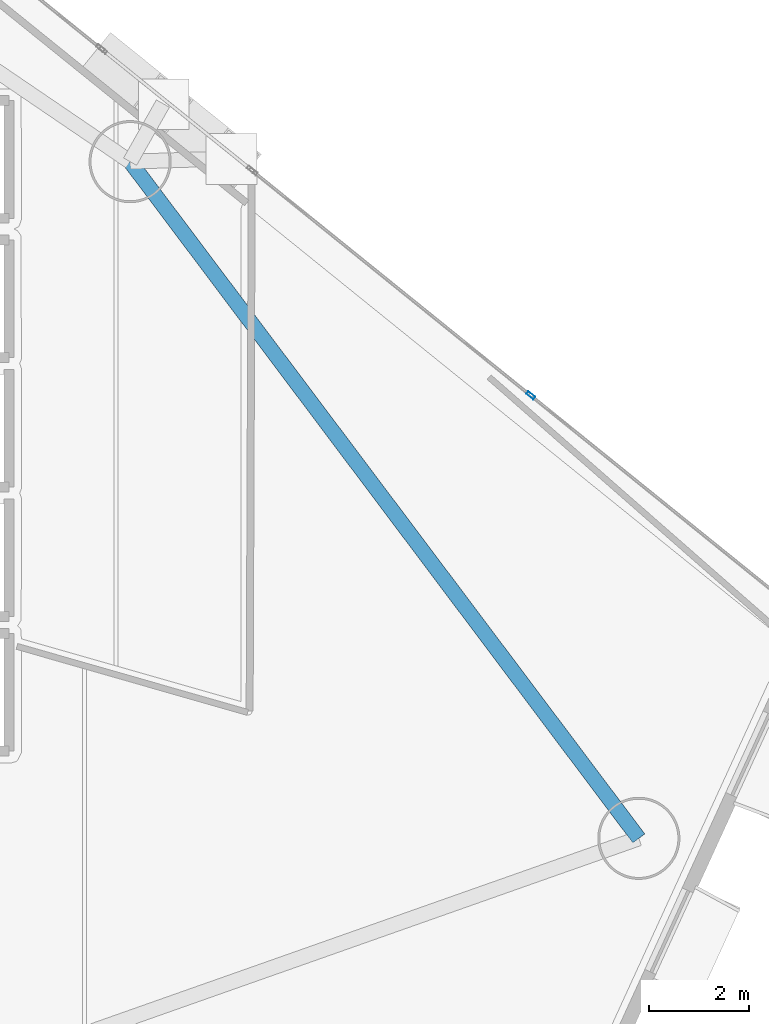
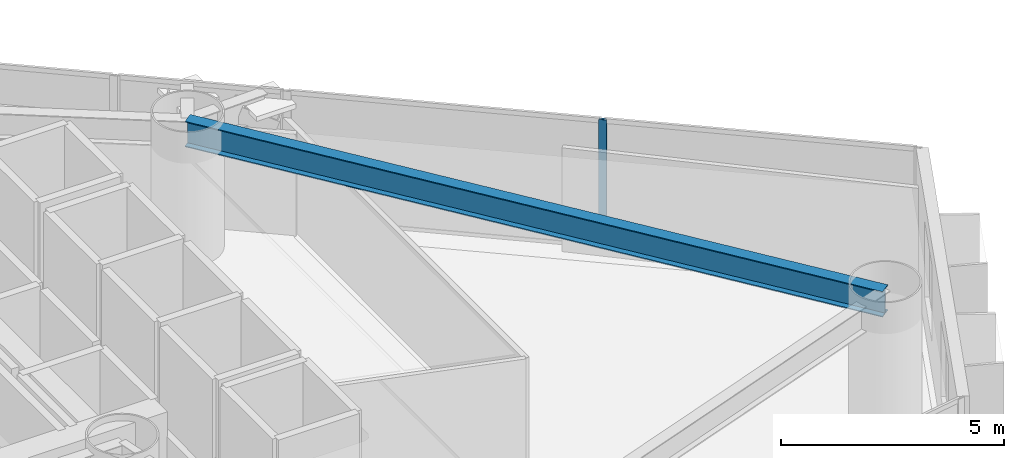
# One storey, part 13 of 23: 1 beam, 1 member, 1 element without a shape of its own.
"""IFC4 building model written with IfcOpenShell, lengths in metres."""

from ifc_helpers import new_model, si_unit, direction, frame, origin, origin_2d, place, context, subcontext, project, spatial, hollow_rectangle, i_section, extrude, material, layer, layer_set, material_profile, profile_set, type_object, element, aggregate, save


model = new_model("IFC4")

# Units and contexts
model_context = context("Model", 3, precision=1e-05, world=origin(), true_north=direction((0.0, 1.0)))
body_context = subcontext(model_context, "Body", "Model", "MODEL_VIEW")
ifc_project = project(units=[si_unit("LENGTHUNIT", "METRE"), si_unit("AREAUNIT", "SQUARE_METRE"), si_unit("VOLUMEUNIT", "CUBIC_METRE"), si_unit("PLANEANGLEUNIT", "RADIAN"), si_unit("MASSUNIT", "GRAM", prefix="KILO")], contexts=[model_context])

# Site, building, storey
site_placement = place(None, origin())
site = spatial("IfcSite", under=ifc_project, at=site_placement, CompositionType="ELEMENT")
building_placement = place(site_placement, origin())
building = spatial("IfcBuilding", under=site, at=building_placement, Name="Qianvela Tower", CompositionType="ELEMENT")
storey_placement = place(building_placement, frame((0.0, 0.0, 82.10009765625)))
storey = spatial("IfcBuildingStorey", under=building, at=storey_placement, Name="L20", CompositionType="ELEMENT", Elevation=82.10009765625)

# Beam
ifc_material_1 = material(Name="Steel Q355B", Category="steel")
ifc_material_profile_1 = material_profile(ifc_material_1, i_section(OverallWidth=0.300048828125, OverallDepth=0.699951171875, WebThickness=0.012939453125, FlangeThickness=0.02392578125, at=origin_2d()), Name="HN700x300x13x24")
ifc_profile_set_1 = profile_set([ifc_material_profile_1], Name="Steel Q355B")
beam_type = type_object("IfcBeamType", Name="BM-HN700-SPAND", PredefinedType="SPANDREL", material=ifc_profile_set_1)
beam_placement = place(storey_placement, frame((56.198974609375, 20.468017578125, 3.16796875), z_axis=(-0.600881979864, 0.799337754816, 0.0), x_axis=(-0.799337754816, -0.600881979864, 0.0)))
element("IfcBeam", 1, at=beam_placement, inside=storey, type_object=beam_type, Name="L20 Perimeter Ring Spandrel Girder 1", PredefinedType="SPANDREL", context=body_context, shape_type="SweptSolid", body=[
    extrude(i_section(OverallWidth=0.300048828125, OverallDepth=0.699951171875, WebThickness=0.012939453125, FlangeThickness=0.02392578125, at=origin_2d()), origin(), (0.0, 0.0, 1.0), 17.000244140625),
])

# Curtain wall, member
ifc_material_2 = material(Name="Anodised Architectural Aluminium and Low-E Glass", Category="aluminium")
ifc_layer = layer(ifc_material_2, 0.179931640625)
ifc_layer_set = layer_set([ifc_layer], Name="Anodised Architectural Aluminium and Low-E Glass")
curtain_wall_type = type_object("IfcCurtainWallType", Name="CW-COLIV-Z12", PredefinedType="USERDEFINED", material=ifc_layer_set)
curtain_wall_placement = place(storey_placement, origin())
curtain_wall = element("IfcCurtainWall", 2, at=curtain_wall_placement, inside=storey, type_object=curtain_wall_type, Name="L20 CW-COLIV-Z12 Curtain Wall 02A", ObjectType="CURTAIN_WALL_SYSTEM", PredefinedType="USERDEFINED")
ifc_material_3 = material(Name="Anodised Architectural Aluminium 6063-T6", Category="aluminium")
ifc_material_profile_2 = material_profile(ifc_material_3, hollow_rectangle(XDim=0.070068359375, YDim=0.179931640625, WallThickness=0.0048828125, at=origin_2d()), Name="ALU-MULL-70x180")
ifc_profile_set_2 = profile_set([ifc_material_profile_2], Name="Anodised Architectural Aluminium 6063-T6")
member_type = type_object("IfcMemberType", Name="CW-COLIV-Z12-MULL", PredefinedType="MULLION", material=ifc_profile_set_2)
member_placement = place(storey_placement, frame((54.028076171875, 29.36279296875, 0.0), z_axis=(0.0, 0.0, 1.0), x_axis=(-0.62814152563, -0.778099109227, 0.0)))
member = element("IfcMember", 3, at=member_placement, type_object=member_type, Name="CW-3 mullion 2", PredefinedType="MULLION", context=body_context, shape_type="SweptSolid", body=[
    extrude(hollow_rectangle(XDim=0.070068359375, YDim=0.179931640625, WallThickness=0.0048828125, at=origin_2d()), origin(), (0.0, 0.0, 1.0), 3.52001953125),
])
aggregate(curtain_wall, [member])

save(model, "model.ifc")
